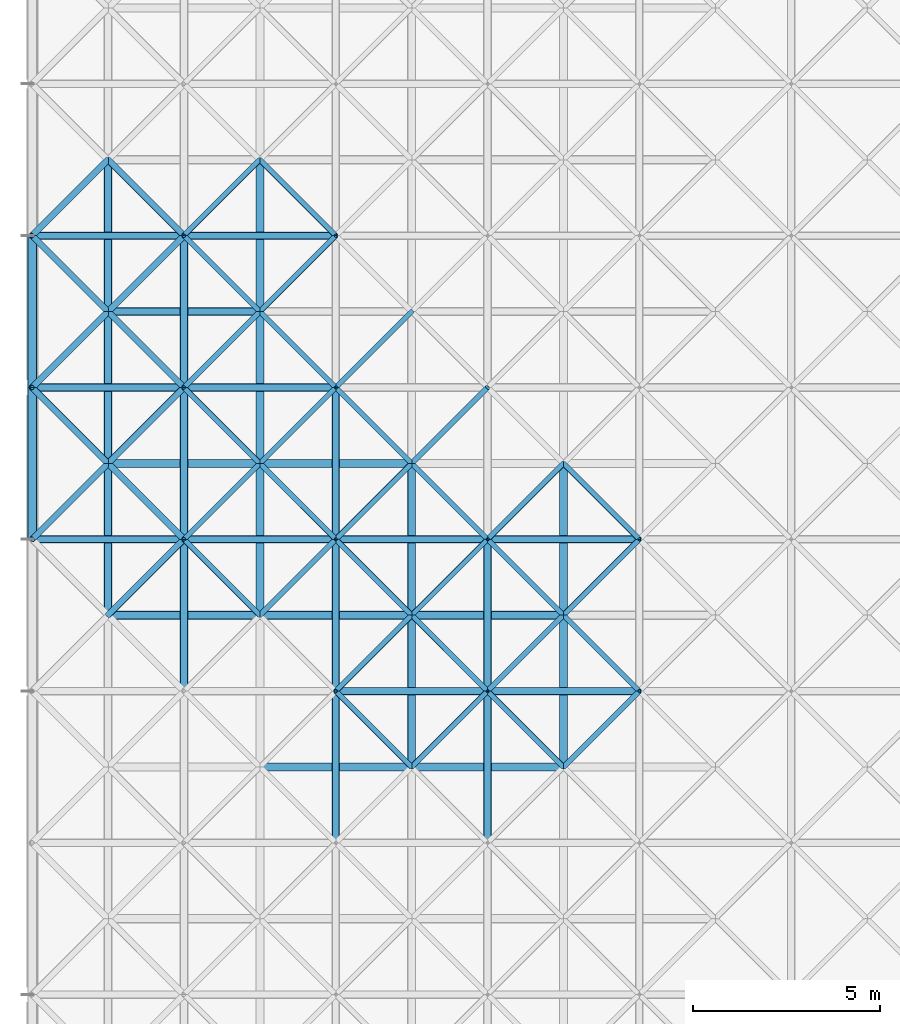
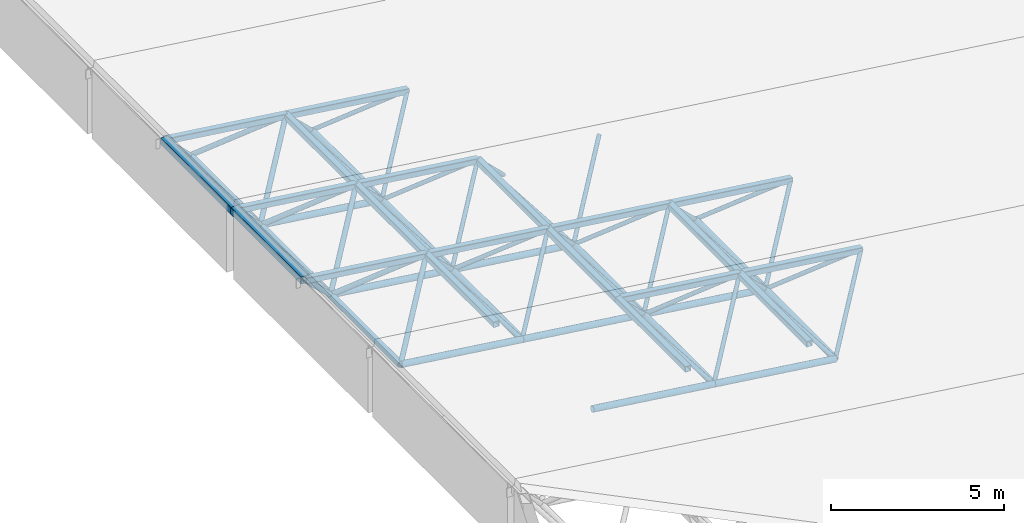
# One storey, part 17 of 70: 80 members.
"""IFC4 building model written with IfcOpenShell, lengths in metres."""

from ifc_helpers import new_model, si_unit, direction, frame, origin, origin_2d, place, context, subcontext, project, spatial, hollow_rectangle, hollow_circle, extrude, material, material_profile, profile_set, type_object, element, save


model = new_model("IFC4")

# Units and contexts
model_context = context("Model", 3, precision=1e-05, world=origin(), true_north=direction((0.0, 1.0)))
body_context = subcontext(model_context, "Body", "Model", "MODEL_VIEW")
ifc_project = project(units=[si_unit("LENGTHUNIT", "METRE"), si_unit("AREAUNIT", "SQUARE_METRE"), si_unit("VOLUMEUNIT", "CUBIC_METRE"), si_unit("PLANEANGLEUNIT", "RADIAN"), si_unit("MASSUNIT", "GRAM", prefix="KILO")], contexts=[model_context])

# Site, building, storey
site_placement = place(None, origin())
site = spatial("IfcSite", under=ifc_project, at=site_placement, CompositionType="ELEMENT")
building_placement = place(site_placement, origin())
building = spatial("IfcBuilding", under=site, at=building_placement, Name="Vaudrelin Polytechnic", CompositionType="ELEMENT")
storey_placement = place(building_placement, frame((0.0, 0.0, 14.110107421875)))
storey = spatial("IfcBuildingStorey", under=building, at=storey_placement, Name="L03", CompositionType="ELEMENT", Elevation=14.110107421875)

# Members
ifc_material = material(Name="Steel CSA G40.21 350WT", Category="steel")
ifc_material_profile_1 = material_profile(ifc_material, hollow_circle(Radius=0.109619140625, WallThickness=0.010986328125, at=origin_2d()), Name="CHS219.1x11.1")
ifc_profile_set_1 = profile_set([ifc_material_profile_1], Name="Steel CSA G40.21 350WT")
member_type_1 = type_object("IfcMemberType", Name="MEM-SF-BC1", PredefinedType="CHORD", material=ifc_profile_set_1)
for number, where, z_axis, x_axis, name in (
    (1, (6.074951171875, 54.675048828125, 1.505615234375), (0.991444732077, 0.0, -0.130527174324), (0.0, 1.0, 0.0), "Space frame bottom chord X 2-4"),
    (2, (10.125, 54.675048828125, 0.972412109375), (0.991444732077, 0.0, -0.130527174324), (0.0, 1.0, 0.0), "Space frame bottom chord X 3-4"),
    (3, (2.02490234375, 58.72509765625, 2.038818359375), (0.991444732077, 0.0, -0.130527174324), (0.0, 1.0, 0.0), "Space frame bottom chord X 1-5"),
    (4, (6.074951171875, 58.72509765625, 1.505615234375), (0.991444732077, 0.0, -0.130527174324), (0.0, 1.0, 0.0), "Space frame bottom chord X 2-5"),
    (5, (10.125, 58.72509765625, 0.972412109375), (0.991444732077, 0.0, -0.130527174324), (0.0, 1.0, 0.0), "Space frame bottom chord X 3-5"),
    (6, (2.02490234375, 62.77490234375, 2.038818359375), (0.991444732077, 0.0, -0.130527174324), (0.0, 1.0, 0.0), "Space frame bottom chord X 1-6"),
    (7, (6.074951171875, 62.77490234375, 1.505615234375), (0.991444732077, 0.0, -0.130527174324), (0.0, 1.0, 0.0), "Space frame bottom chord X 2-6"),
    (8, (2.02490234375, 66.824951171875, 2.038818359375), (0.991444732077, 0.0, -0.130527174324), (0.0, 1.0, 0.0), "Space frame bottom chord X 1-7"),
):
    element("IfcMember", number, at=place(storey_placement, frame(where, z_axis=z_axis, x_axis=x_axis)), inside=storey, type_object=member_type_1, Name=name, PredefinedType="CHORD", context=body_context, shape_type="SweptSolid", body=[
        extrude(hollow_circle(Radius=0.109619140625, WallThickness=0.010986328125, at=origin_2d()), origin(), (0.0, 0.0, 1.0), 4.0849609375),
    ])
member_1_placement = place(storey_placement, frame((2.02490234375, 58.72509765625, 2.038818359375), z_axis=(0.0, 1.0, 0.0), x_axis=(-1.0, 0.0, 0.0)))
element("IfcMember", 9, at=member_1_placement, inside=storey, type_object=member_type_1, Name="Space frame bottom chord Y 1-5", PredefinedType="CHORD", context=body_context, shape_type="SweptSolid", body=[
    extrude(hollow_circle(Radius=0.109619140625, WallThickness=0.010986328125, at=origin_2d()), origin(), (0.0, 0.0, 1.0), 4.0498046875),
])
for number, where, z_axis, x_axis, name in (
    (10, (2.02490234375, 62.77490234375, 2.038818359375), (0.0, 1.0, 0.0), (-1.0, 0.0, 0.0), "Space frame bottom chord Y 1-6"),
    (11, (2.02490234375, 66.824951171875, 2.038818359375), (0.0, 1.0, 0.0), (-1.0, 0.0, 0.0), "Space frame bottom chord Y 1-7"),
):
    element("IfcMember", number, at=place(storey_placement, frame(where, z_axis=z_axis, x_axis=x_axis)), inside=storey, type_object=member_type_1, Name=name, PredefinedType="CHORD", context=body_context, shape_type="SweptSolid", body=[
        extrude(hollow_circle(Radius=0.109619140625, WallThickness=0.010986328125, at=origin_2d()), origin(), (0.0, 0.0, 1.0), 4.050048828125),
    ])
member_2_placement = place(storey_placement, frame((6.074951171875, 58.72509765625, 1.505615234375), z_axis=(0.0, 1.0, 0.0), x_axis=(-1.0, 0.0, 0.0)))
element("IfcMember", 12, at=member_2_placement, inside=storey, type_object=member_type_1, Name="Space frame bottom chord Y 2-5", PredefinedType="CHORD", context=body_context, shape_type="SweptSolid", body=[
    extrude(hollow_circle(Radius=0.109619140625, WallThickness=0.010986328125, at=origin_2d()), origin(), (0.0, 0.0, 1.0), 4.0498046875),
])
for number, where, z_axis, x_axis, name in (
    (13, (6.074951171875, 62.77490234375, 1.505615234375), (0.0, 1.0, 0.0), (-1.0, 0.0, 0.0), "Space frame bottom chord Y 2-6"),
    (14, (6.074951171875, 66.824951171875, 1.505615234375), (0.0, 1.0, 0.0), (-1.0, 0.0, 0.0), "Space frame bottom chord Y 2-7"),
    (15, (10.125, 54.675048828125, 0.972412109375), (0.0, 1.0, 0.0), (-1.0, 0.0, 0.0), "Space frame bottom chord Y 3-4"),
):
    element("IfcMember", number, at=place(storey_placement, frame(where, z_axis=z_axis, x_axis=x_axis)), inside=storey, type_object=member_type_1, Name=name, PredefinedType="CHORD", context=body_context, shape_type="SweptSolid", body=[
        extrude(hollow_circle(Radius=0.109619140625, WallThickness=0.010986328125, at=origin_2d()), origin(), (0.0, 0.0, 1.0), 4.050048828125),
    ])
member_3_placement = place(storey_placement, frame((10.125, 58.72509765625, 0.972412109375), z_axis=(0.0, 1.0, 0.0), x_axis=(-1.0, 0.0, 0.0)))
element("IfcMember", 16, at=member_3_placement, inside=storey, type_object=member_type_1, Name="Space frame bottom chord Y 3-5", PredefinedType="CHORD", context=body_context, shape_type="SweptSolid", body=[
    extrude(hollow_circle(Radius=0.109619140625, WallThickness=0.010986328125, at=origin_2d()), origin(), (0.0, 0.0, 1.0), 4.0498046875),
])
member_4_placement = place(storey_placement, frame((14.175048828125, 54.675048828125, 0.439208984375), z_axis=(0.0, 1.0, 0.0), x_axis=(-1.0, 0.0, 0.0)))
element("IfcMember", 17, at=member_4_placement, inside=storey, type_object=member_type_1, Name="Space frame bottom chord Y 4-4", PredefinedType="CHORD", context=body_context, shape_type="SweptSolid", body=[
    extrude(hollow_circle(Radius=0.109619140625, WallThickness=0.010986328125, at=origin_2d()), origin(), (0.0, 0.0, 1.0), 4.050048828125),
])
member_5_placement = place(storey_placement, frame((14.175048828125, 58.72509765625, 0.439208984375), z_axis=(0.0, 1.0, 0.0), x_axis=(-1.0, 0.0, 0.0)))
element("IfcMember", 18, at=member_5_placement, inside=storey, type_object=member_type_1, Name="Space frame bottom chord Y 4-5", PredefinedType="CHORD", context=body_context, shape_type="SweptSolid", body=[
    extrude(hollow_circle(Radius=0.109619140625, WallThickness=0.010986328125, at=origin_2d()), origin(), (0.0, 0.0, 1.0), 4.0498046875),
])
ifc_material_profile_2 = material_profile(ifc_material, hollow_rectangle(XDim=0.202880859375, YDim=0.202880859375, WallThickness=0.009521484375, InnerFilletRadius=0.009521484375, OuterFilletRadius=0.01904296875, at=origin_2d()), Name="HSS203x203x9.5")
ifc_profile_set_2 = profile_set([ifc_material_profile_2], Name="Steel CSA G40.21 350WT")
member_type_2 = type_object("IfcMemberType", Name="MEM-SF-TC1", PredefinedType="CHORD", material=ifc_profile_set_2)
member_6_placement = place(storey_placement, frame((8.10009765625, 56.699951171875, 3.439208984375), z_axis=(0.991443713746, 0.0, -0.13053490902), x_axis=(0.0, 1.0, 0.0)))
element("IfcMember", 19, at=member_6_placement, inside=storey, type_object=member_type_2, Name="Space frame top chord X 3-5", PredefinedType="CHORD", context=body_context, shape_type="SweptSolid", body=[
    extrude(hollow_rectangle(XDim=0.202880859375, YDim=0.202880859375, WallThickness=0.009521484375, InnerFilletRadius=0.009521484375, OuterFilletRadius=0.01904296875, at=origin_2d()), origin(), (0.0, 0.0, 1.0), 4.084716796875),
])
for number, where, z_axis, x_axis, name in (
    (20, (12.14990234375, 56.699951171875, 2.906005859375), (0.991444732077, 0.0, -0.130527174324), (0.0, 1.0, 0.0), "Space frame top chord X 4-5"),
    (21, (0.0, 60.75, 4.50537109375), (0.991444732077, 0.0, -0.130527174324), (0.0, 1.0, 0.0), "Space frame top chord X 1-6"),
    (22, (4.050048828125, 60.75, 3.97216796875), (0.991452464639, 0.0, -0.130468426687), (0.0, 1.0, 0.0), "Space frame top chord X 2-6"),
):
    element("IfcMember", number, at=place(storey_placement, frame(where, z_axis=z_axis, x_axis=x_axis)), inside=storey, type_object=member_type_2, Name=name, PredefinedType="CHORD", context=body_context, shape_type="SweptSolid", body=[
        extrude(hollow_rectangle(XDim=0.202880859375, YDim=0.202880859375, WallThickness=0.009521484375, InnerFilletRadius=0.009521484375, OuterFilletRadius=0.01904296875, at=origin_2d()), origin(), (0.0, 0.0, 1.0), 4.0849609375),
    ])
member_7_placement = place(storey_placement, frame((8.10009765625, 60.75, 3.439208984375), z_axis=(0.991443713746, 0.0, -0.13053490902), x_axis=(0.0, 1.0, 0.0)))
element("IfcMember", 23, at=member_7_placement, inside=storey, type_object=member_type_2, Name="Space frame top chord X 3-6", PredefinedType="CHORD", context=body_context, shape_type="SweptSolid", body=[
    extrude(hollow_rectangle(XDim=0.202880859375, YDim=0.202880859375, WallThickness=0.009521484375, InnerFilletRadius=0.009521484375, OuterFilletRadius=0.01904296875, at=origin_2d()), origin(), (0.0, 0.0, 1.0), 4.084716796875),
])
for number, where, z_axis, x_axis, name in (
    (24, (12.14990234375, 60.75, 2.906005859375), (0.991444732077, 0.0, -0.130527174324), (0.0, 1.0, 0.0), "Space frame top chord X 4-6"),
    (25, (0.0, 64.800048828125, 4.50537109375), (0.991444732077, 0.0, -0.130527174324), (0.0, 1.0, 0.0), "Space frame top chord X 1-7"),
    (26, (4.050048828125, 64.800048828125, 3.97216796875), (0.991452464639, 0.0, -0.130468426687), (0.0, 1.0, 0.0), "Space frame top chord X 2-7"),
    (27, (0.0, 68.85009765625, 4.50537109375), (0.991444732077, 0.0, -0.130527174324), (0.0, 1.0, 0.0), "Space frame top chord X 1-8"),
    (28, (4.050048828125, 68.85009765625, 3.97216796875), (0.991452464639, 0.0, -0.130468426687), (0.0, 1.0, 0.0), "Space frame top chord X 2-8"),
):
    element("IfcMember", number, at=place(storey_placement, frame(where, z_axis=z_axis, x_axis=x_axis)), inside=storey, type_object=member_type_2, Name=name, PredefinedType="CHORD", context=body_context, shape_type="SweptSolid", body=[
        extrude(hollow_rectangle(XDim=0.202880859375, YDim=0.202880859375, WallThickness=0.009521484375, InnerFilletRadius=0.009521484375, OuterFilletRadius=0.01904296875, at=origin_2d()), origin(), (0.0, 0.0, 1.0), 4.0849609375),
    ])
for number, where, z_axis, x_axis, name in (
    (29, (4.050048828125, 56.699951171875, 3.97216796875), (0.0, 1.0, 0.0), (-1.0, 0.0, 0.0), "Space frame top chord Y 2-5"),
    (30, (4.050048828125, 60.75, 3.97216796875), (0.0, 1.0, 0.0), (-1.0, 0.0, 0.0), "Space frame top chord Y 2-6"),
    (31, (4.050048828125, 64.800048828125, 3.97216796875), (0.0, 1.0, 0.0), (-1.0, 0.0, 0.0), "Space frame top chord Y 2-7"),
    (32, (8.10009765625, 52.64990234375, 3.439208984375), (0.0, 1.0, 0.0), (-1.0, 0.0, 0.0), "Space frame top chord Y 3-4"),
    (33, (8.10009765625, 56.699951171875, 3.439208984375), (0.0, 1.0, 0.0), (-1.0, 0.0, 0.0), "Space frame top chord Y 3-5"),
    (34, (8.10009765625, 60.75, 3.439208984375), (0.0, 1.0, 0.0), (-1.0, 0.0, 0.0), "Space frame top chord Y 3-6"),
    (35, (12.14990234375, 52.64990234375, 2.906005859375), (0.0, 1.0, 0.0), (-1.0, 0.0, 0.0), "Space frame top chord Y 4-4"),
    (36, (12.14990234375, 56.699951171875, 2.906005859375), (0.0, 1.0, 0.0), (-1.0, 0.0, 0.0), "Space frame top chord Y 4-5"),
):
    element("IfcMember", number, at=place(storey_placement, frame(where, z_axis=z_axis, x_axis=x_axis)), inside=storey, type_object=member_type_2, Name=name, PredefinedType="CHORD", context=body_context, shape_type="SweptSolid", body=[
        extrude(hollow_rectangle(XDim=0.202880859375, YDim=0.202880859375, WallThickness=0.009521484375, InnerFilletRadius=0.009521484375, OuterFilletRadius=0.01904296875, at=origin_2d()), origin(), (0.0, 0.0, 1.0), 4.050048828125),
    ])
ifc_material_profile_3 = material_profile(ifc_material, hollow_rectangle(XDim=0.25390625, YDim=0.25390625, WallThickness=0.0126953125, InnerFilletRadius=0.0126953125, OuterFilletRadius=0.025390625, at=origin_2d()), Name="HSS254x254x12.7")
ifc_profile_set_3 = profile_set([ifc_material_profile_3], Name="Steel CSA G40.21 350WT")
member_type_3 = type_object("IfcMemberType", Name="MEM-SF-TC2", PredefinedType="CHORD", material=ifc_profile_set_3)
for number, where, z_axis, x_axis, name in (
    (37, (0.0, 60.75, 4.50537109375), (0.0, 1.0, 0.0), (-1.0, 0.0, 0.0), "Space frame top chord Y 1-6"),
    (38, (0.0, 64.800048828125, 4.50537109375), (0.0, 1.0, 0.0), (-1.0, 0.0, 0.0), "Space frame top chord Y 1-7"),
):
    element("IfcMember", number, at=place(storey_placement, frame(where, z_axis=z_axis, x_axis=x_axis)), inside=storey, type_object=member_type_3, Name=name, PredefinedType="CHORD", context=body_context, shape_type="SweptSolid", body=[
        extrude(hollow_rectangle(XDim=0.25390625, YDim=0.25390625, WallThickness=0.0126953125, InnerFilletRadius=0.0126953125, OuterFilletRadius=0.025390625, at=origin_2d()), origin(), (0.0, 0.0, 1.0), 4.050048828125),
    ])
ifc_material_profile_4 = material_profile(ifc_material, hollow_circle(Radius=0.06982421875, WallThickness=0.008056640625, at=origin_2d()), Name="CHS139.7x8.0")
ifc_profile_set_4 = profile_set([ifc_material_profile_4], Name="Steel CSA G40.21 350WT")
member_type_4 = type_object("IfcMemberType", Name="MEM-SF-WB1", PredefinedType="BRACE", material=ifc_profile_set_4)
member_8_placement = place(storey_placement, frame((6.074951171875, 58.72509765625, 1.505615234375), z_axis=(0.586070753284, 0.586000099787, 0.559575692105), x_axis=(-0.707064154862, 0.707149404941, 0.0)))
element("IfcMember", 39, at=member_8_placement, inside=storey, type_object=member_type_4, Name="Space frame web diagonal 2.5.3", PredefinedType="BRACE", context=body_context, shape_type="SweptSolid", body=[
    extrude(hollow_circle(Radius=0.06982421875, WallThickness=0.008056640625, at=origin_2d()), origin(), (0.0, 0.0, 1.0), 3.45556640625),
])
for number, where, z_axis, x_axis, name in (
    (40, (6.074951171875, 58.72509765625, 1.505615234375), (-0.535764547812, 0.535764547812, 0.652619872986), (-0.707106781187, -0.707106781187, 0.0), "Space frame web diagonal 2.5.4"),
    (41, (6.074951171875, 62.77490234375, 1.505615234375), (-0.535764547812, -0.535764547812, 0.652619872986), (0.707106781187, -0.707106781187, 0.0), "Space frame web diagonal 2.6.1"),
):
    element("IfcMember", number, at=place(storey_placement, frame(where, z_axis=z_axis, x_axis=x_axis)), inside=storey, type_object=member_type_4, Name=name, PredefinedType="BRACE", context=body_context, shape_type="SweptSolid", body=[
        extrude(hollow_circle(Radius=0.06982421875, WallThickness=0.008056640625, at=origin_2d()), origin(), (0.0, 0.0, 1.0), 3.779541015625),
    ])
for number, where, z_axis, x_axis, name in (
    (42, (6.074951171875, 62.77490234375, 1.505615234375), (0.586070753284, -0.586000099787, 0.559575692105), (0.707064154862, 0.707149404941, 0.0), "Space frame web diagonal 2.6.2"),
    (43, (6.074951171875, 62.77490234375, 1.505615234375), (0.586046488267, 0.586046488267, 0.559552524059), (-0.707106781187, 0.707106781187, 0.0), "Space frame web diagonal 2.6.3"),
):
    element("IfcMember", number, at=place(storey_placement, frame(where, z_axis=z_axis, x_axis=x_axis)), inside=storey, type_object=member_type_4, Name=name, PredefinedType="BRACE", context=body_context, shape_type="SweptSolid", body=[
        extrude(hollow_circle(Radius=0.06982421875, WallThickness=0.008056640625, at=origin_2d()), origin(), (0.0, 0.0, 1.0), 3.45556640625),
    ])
for number, where, z_axis, x_axis, name in (
    (44, (6.074951171875, 62.77490234375, 1.505615234375), (-0.535746005601, 0.535810600007, 0.652597286543), (-0.707149404941, -0.707064154862, 0.0), "Space frame web diagonal 2.6.4"),
    (45, (6.074951171875, 66.824951171875, 1.505615234375), (-0.535764547812, -0.535764547812, 0.652619872986), (0.707106781187, -0.707106781187, 0.0), "Space frame web diagonal 2.7.1"),
):
    element("IfcMember", number, at=place(storey_placement, frame(where, z_axis=z_axis, x_axis=x_axis)), inside=storey, type_object=member_type_4, Name=name, PredefinedType="BRACE", context=body_context, shape_type="SweptSolid", body=[
        extrude(hollow_circle(Radius=0.06982421875, WallThickness=0.008056640625, at=origin_2d()), origin(), (0.0, 0.0, 1.0), 3.779541015625),
    ])
for number, where, z_axis, x_axis, name in (
    (46, (6.074951171875, 66.824951171875, 1.505615234375), (0.586070753284, -0.586000099787, 0.559575692105), (0.707064154862, 0.707149404941, 0.0), "Space frame web diagonal 2.7.2"),
    (47, (6.074951171875, 66.824951171875, 1.505615234375), (0.586046488267, 0.586046488267, 0.559552524059), (-0.707106781187, 0.707106781187, 0.0), "Space frame web diagonal 2.7.3"),
):
    element("IfcMember", number, at=place(storey_placement, frame(where, z_axis=z_axis, x_axis=x_axis)), inside=storey, type_object=member_type_4, Name=name, PredefinedType="BRACE", context=body_context, shape_type="SweptSolid", body=[
        extrude(hollow_circle(Radius=0.06982421875, WallThickness=0.008056640625, at=origin_2d()), origin(), (0.0, 0.0, 1.0), 3.45556640625),
    ])
for number, where, z_axis, x_axis, name in (
    (48, (6.074951171875, 66.824951171875, 1.505615234375), (-0.535746005601, 0.535810600007, 0.652597286543), (-0.707149404941, -0.707064154862, 0.0), "Space frame web diagonal 2.7.4"),
    (49, (6.074951171875, 70.875, 1.505615234375), (-0.535764547812, -0.535764547812, 0.652619872986), (0.707106781187, -0.707106781187, 0.0), "Space frame web diagonal 2.8.1"),
):
    element("IfcMember", number, at=place(storey_placement, frame(where, z_axis=z_axis, x_axis=x_axis)), inside=storey, type_object=member_type_4, Name=name, PredefinedType="BRACE", context=body_context, shape_type="SweptSolid", body=[
        extrude(hollow_circle(Radius=0.06982421875, WallThickness=0.008056640625, at=origin_2d()), origin(), (0.0, 0.0, 1.0), 3.779541015625),
    ])
member_9_placement = place(storey_placement, frame((6.074951171875, 70.875, 1.505615234375), z_axis=(0.586070753284, -0.586000099787, 0.559575692105), x_axis=(0.707064154862, 0.707149404941, 0.0)))
element("IfcMember", 50, at=member_9_placement, inside=storey, type_object=member_type_4, Name="Space frame web diagonal 2.8.2", PredefinedType="BRACE", context=body_context, shape_type="SweptSolid", body=[
    extrude(hollow_circle(Radius=0.06982421875, WallThickness=0.008056640625, at=origin_2d()), origin(), (0.0, 0.0, 1.0), 3.45556640625),
])
member_10_placement = place(storey_placement, frame((10.125, 54.675048828125, 0.972412109375), z_axis=(0.586024364893, 0.586024364893, 0.559598863028), x_axis=(-0.707106781187, 0.707106781187, 0.0)))
element("IfcMember", 51, at=member_10_placement, inside=storey, type_object=member_type_4, Name="Space frame web diagonal 3.4.3", PredefinedType="BRACE", context=body_context, shape_type="SweptSolid", body=[
    extrude(hollow_circle(Radius=0.06982421875, WallThickness=0.008056640625, at=origin_2d()), origin(), (0.0, 0.0, 1.0), 3.455322265625),
])
member_11_placement = place(storey_placement, frame((10.125, 54.675048828125, 0.972412109375), z_axis=(-0.535741961868, 0.535741961868, 0.652656954753), x_axis=(-0.707106781187, -0.707106781187, 0.0)))
element("IfcMember", 52, at=member_11_placement, inside=storey, type_object=member_type_4, Name="Space frame web diagonal 3.4.4", PredefinedType="BRACE", context=body_context, shape_type="SweptSolid", body=[
    extrude(hollow_circle(Radius=0.06982421875, WallThickness=0.008056640625, at=origin_2d()), origin(), (0.0, 0.0, 1.0), 3.779541015625),
])
member_12_placement = place(storey_placement, frame((10.125, 58.72509765625, 0.972412109375), z_axis=(-0.535723422002, -0.535788013686, 0.65263436893), x_axis=(0.707149404941, -0.707064154862, 0.0)))
element("IfcMember", 53, at=member_12_placement, inside=storey, type_object=member_type_4, Name="Space frame web diagonal 3.5.1", PredefinedType="BRACE", context=body_context, shape_type="SweptSolid", body=[
    extrude(hollow_circle(Radius=0.06982421875, WallThickness=0.008056640625, at=origin_2d()), origin(), (0.0, 0.0, 1.0), 3.77978515625),
])
member_13_placement = place(storey_placement, frame((10.125, 58.72509765625, 0.972412109375), z_axis=(0.586000099787, -0.586070753284, 0.559575692105), x_axis=(0.707149404941, 0.707064154862, 0.0)))
element("IfcMember", 54, at=member_13_placement, inside=storey, type_object=member_type_4, Name="Space frame web diagonal 3.5.2", PredefinedType="BRACE", context=body_context, shape_type="SweptSolid", body=[
    extrude(hollow_circle(Radius=0.06982421875, WallThickness=0.008056640625, at=origin_2d()), origin(), (0.0, 0.0, 1.0), 3.45556640625),
])
member_14_placement = place(storey_placement, frame((10.125, 58.72509765625, 0.972412109375), z_axis=(0.586024364893, 0.586024364893, 0.559598863028), x_axis=(-0.707106781187, 0.707106781187, 0.0)))
element("IfcMember", 55, at=member_14_placement, inside=storey, type_object=member_type_4, Name="Space frame web diagonal 3.5.3", PredefinedType="BRACE", context=body_context, shape_type="SweptSolid", body=[
    extrude(hollow_circle(Radius=0.06982421875, WallThickness=0.008056640625, at=origin_2d()), origin(), (0.0, 0.0, 1.0), 3.455322265625),
])
for number, where, z_axis, x_axis, name in (
    (56, (10.125, 58.72509765625, 0.972412109375), (-0.535741961868, 0.535741961868, 0.652656954753), (-0.707106781187, -0.707106781187, 0.0), "Space frame web diagonal 3.5.4"),
    (57, (10.125, 62.77490234375, 0.972412109375), (-0.535741961868, -0.535741961868, 0.652656954753), (0.707106781187, -0.707106781187, 0.0), "Space frame web diagonal 3.6.1"),
):
    element("IfcMember", number, at=place(storey_placement, frame(where, z_axis=z_axis, x_axis=x_axis)), inside=storey, type_object=member_type_4, Name=name, PredefinedType="BRACE", context=body_context, shape_type="SweptSolid", body=[
        extrude(hollow_circle(Radius=0.06982421875, WallThickness=0.008056640625, at=origin_2d()), origin(), (0.0, 0.0, 1.0), 3.779541015625),
    ])
member_15_placement = place(storey_placement, frame((10.125, 62.77490234375, 0.972412109375), z_axis=(0.586024364893, -0.586024364893, 0.559598863028), x_axis=(0.707106781187, 0.707106781187, 0.0)))
element("IfcMember", 58, at=member_15_placement, inside=storey, type_object=member_type_4, Name="Space frame web diagonal 3.6.2", PredefinedType="BRACE", context=body_context, shape_type="SweptSolid", body=[
    extrude(hollow_circle(Radius=0.06982421875, WallThickness=0.008056640625, at=origin_2d()), origin(), (0.0, 0.0, 1.0), 3.455322265625),
])
member_16_placement = place(storey_placement, frame((10.125, 62.77490234375, 0.972412109375), z_axis=(0.586000099787, 0.586070753284, 0.559575692105), x_axis=(-0.707149404941, 0.707064154862, 0.0)))
element("IfcMember", 59, at=member_16_placement, inside=storey, type_object=member_type_4, Name="Space frame web diagonal 3.6.3", PredefinedType="BRACE", context=body_context, shape_type="SweptSolid", body=[
    extrude(hollow_circle(Radius=0.06982421875, WallThickness=0.008056640625, at=origin_2d()), origin(), (0.0, 0.0, 1.0), 3.45556640625),
])
member_17_placement = place(storey_placement, frame((10.125, 62.77490234375, 0.972412109375), z_axis=(-0.535723422002, 0.535788013686, 0.65263436893), x_axis=(-0.707149404941, -0.707064154862, 0.0)))
element("IfcMember", 60, at=member_17_placement, inside=storey, type_object=member_type_4, Name="Space frame web diagonal 3.6.4", PredefinedType="BRACE", context=body_context, shape_type="SweptSolid", body=[
    extrude(hollow_circle(Radius=0.06982421875, WallThickness=0.008056640625, at=origin_2d()), origin(), (0.0, 0.0, 1.0), 3.77978515625),
])
member_18_placement = place(storey_placement, frame((10.125, 66.824951171875, 0.972412109375), z_axis=(-0.535741961868, -0.535741961868, 0.652656954753), x_axis=(0.707106781187, -0.707106781187, 0.0)))
element("IfcMember", 61, at=member_18_placement, inside=storey, type_object=member_type_4, Name="Space frame web diagonal 3.7.1", PredefinedType="BRACE", context=body_context, shape_type="SweptSolid", body=[
    extrude(hollow_circle(Radius=0.06982421875, WallThickness=0.008056640625, at=origin_2d()), origin(), (0.0, 0.0, 1.0), 3.779541015625),
])
member_19_placement = place(storey_placement, frame((14.175048828125, 54.675048828125, 0.439208984375), z_axis=(0.586024364893, 0.586024364893, 0.559598863028), x_axis=(-0.707106781187, 0.707106781187, 0.0)))
element("IfcMember", 62, at=member_19_placement, inside=storey, type_object=member_type_4, Name="Space frame web diagonal 4.4.3", PredefinedType="BRACE", context=body_context, shape_type="SweptSolid", body=[
    extrude(hollow_circle(Radius=0.06982421875, WallThickness=0.008056640625, at=origin_2d()), origin(), (0.0, 0.0, 1.0), 3.455322265625),
])
for number, where, z_axis, x_axis, name in (
    (63, (14.175048828125, 54.675048828125, 0.439208984375), (-0.535788013686, 0.535723422002, 0.65263436893), (-0.707064154862, -0.707149404941, 0.0), "Space frame web diagonal 4.4.4"),
    (64, (14.175048828125, 58.72509765625, 0.439208984375), (-0.535769473509, -0.535769473509, 0.652611785453), (0.707106781187, -0.707106781187, 0.0), "Space frame web diagonal 4.5.1"),
):
    element("IfcMember", number, at=place(storey_placement, frame(where, z_axis=z_axis, x_axis=x_axis)), inside=storey, type_object=member_type_4, Name=name, PredefinedType="BRACE", context=body_context, shape_type="SweptSolid", body=[
        extrude(hollow_circle(Radius=0.06982421875, WallThickness=0.008056640625, at=origin_2d()), origin(), (0.0, 0.0, 1.0), 3.77978515625),
    ])
member_20_placement = place(storey_placement, frame((14.175048828125, 58.72509765625, 0.439208984375), z_axis=(0.586000099787, -0.586070753284, 0.559575692105), x_axis=(0.707149404941, 0.707064154862, 0.0)))
element("IfcMember", 65, at=member_20_placement, inside=storey, type_object=member_type_4, Name="Space frame web diagonal 4.5.2", PredefinedType="BRACE", context=body_context, shape_type="SweptSolid", body=[
    extrude(hollow_circle(Radius=0.06982421875, WallThickness=0.008056640625, at=origin_2d()), origin(), (0.0, 0.0, 1.0), 3.45556640625),
])
member_21_placement = place(storey_placement, frame((14.175048828125, 58.72509765625, 0.439208984375), z_axis=(0.586024364893, 0.586024364893, 0.559598863028), x_axis=(-0.707106781187, 0.707106781187, 0.0)))
element("IfcMember", 66, at=member_21_placement, inside=storey, type_object=member_type_4, Name="Space frame web diagonal 4.5.3", PredefinedType="BRACE", context=body_context, shape_type="SweptSolid", body=[
    extrude(hollow_circle(Radius=0.06982421875, WallThickness=0.008056640625, at=origin_2d()), origin(), (0.0, 0.0, 1.0), 3.455322265625),
])
for number, where, z_axis, x_axis, name in (
    (67, (14.175048828125, 58.72509765625, 0.439208984375), (-0.535788013686, 0.535723422002, 0.65263436893), (-0.707064154862, -0.707149404941, 0.0), "Space frame web diagonal 4.5.4"),
    (68, (14.175048828125, 62.77490234375, 0.439208984375), (-0.535788013686, -0.535723422002, 0.65263436893), (0.707064154862, -0.707149404941, 0.0), "Space frame web diagonal 4.6.1"),
):
    element("IfcMember", number, at=place(storey_placement, frame(where, z_axis=z_axis, x_axis=x_axis)), inside=storey, type_object=member_type_4, Name=name, PredefinedType="BRACE", context=body_context, shape_type="SweptSolid", body=[
        extrude(hollow_circle(Radius=0.06982421875, WallThickness=0.008056640625, at=origin_2d()), origin(), (0.0, 0.0, 1.0), 3.77978515625),
    ])
member_22_placement = place(storey_placement, frame((14.175048828125, 62.77490234375, 0.439208984375), z_axis=(0.586024364893, -0.586024364893, 0.559598863028), x_axis=(0.707106781187, 0.707106781187, 0.0)))
element("IfcMember", 69, at=member_22_placement, inside=storey, type_object=member_type_4, Name="Space frame web diagonal 4.6.2", PredefinedType="BRACE", context=body_context, shape_type="SweptSolid", body=[
    extrude(hollow_circle(Radius=0.06982421875, WallThickness=0.008056640625, at=origin_2d()), origin(), (0.0, 0.0, 1.0), 3.455322265625),
])
ifc_material_profile_5 = material_profile(ifc_material, hollow_circle(Radius=0.084228515625, WallThickness=0.009521484375, at=origin_2d()), Name="CHS168.3x9.5")
ifc_profile_set_5 = profile_set([ifc_material_profile_5], Name="Steel CSA G40.21 350WT")
member_type_5 = type_object("IfcMemberType", Name="MEM-SF-WB2", PredefinedType="BRACE", material=ifc_profile_set_5)
member_23_placement = place(storey_placement, frame((2.02490234375, 58.72509765625, 2.038818359375), z_axis=(0.586093924076, 0.586023267786, 0.559527159103), x_axis=(-0.707064154862, 0.707149404941, 0.0)))
element("IfcMember", 70, at=member_23_placement, inside=storey, type_object=member_type_5, Name="Space frame web diagonal 1.5.3", PredefinedType="BRACE", context=body_context, shape_type="SweptSolid", body=[
    extrude(hollow_circle(Radius=0.084228515625, WallThickness=0.009521484375, at=origin_2d()), origin(), (0.0, 0.0, 1.0), 3.455322265625),
])
member_24_placement = place(storey_placement, frame((2.02490234375, 62.77490234375, 2.038818359375), z_axis=(-0.535764547812, -0.535764547812, 0.652619872986), x_axis=(0.707106781187, -0.707106781187, 0.0)))
element("IfcMember", 71, at=member_24_placement, inside=storey, type_object=member_type_5, Name="Space frame web diagonal 1.6.1", PredefinedType="BRACE", context=body_context, shape_type="SweptSolid", body=[
    extrude(hollow_circle(Radius=0.084228515625, WallThickness=0.009521484375, at=origin_2d()), origin(), (0.0, 0.0, 1.0), 3.779541015625),
])
member_25_placement = place(storey_placement, frame((2.02490234375, 62.77490234375, 2.038818359375), z_axis=(0.586093924076, -0.586023267786, 0.559527159103), x_axis=(0.707064154862, 0.707149404941, 0.0)))
element("IfcMember", 72, at=member_25_placement, inside=storey, type_object=member_type_5, Name="Space frame web diagonal 1.6.2", PredefinedType="BRACE", context=body_context, shape_type="SweptSolid", body=[
    extrude(hollow_circle(Radius=0.084228515625, WallThickness=0.009521484375, at=origin_2d()), origin(), (0.0, 0.0, 1.0), 3.455322265625),
])
member_26_placement = place(storey_placement, frame((2.02490234375, 62.77490234375, 2.038818359375), z_axis=(0.586069656181, 0.586069656181, 0.559503991235), x_axis=(-0.707106781187, 0.707106781187, 0.0)))
element("IfcMember", 73, at=member_26_placement, inside=storey, type_object=member_type_5, Name="Space frame web diagonal 1.6.3", PredefinedType="BRACE", context=body_context, shape_type="SweptSolid", body=[
    extrude(hollow_circle(Radius=0.084228515625, WallThickness=0.009521484375, at=origin_2d()), origin(), (0.0, 0.0, 1.0), 3.45556640625),
])
for number, where, z_axis, x_axis, name in (
    (74, (2.02490234375, 62.77490234375, 2.038818359375), (-0.535746005601, 0.535810600007, 0.652597286543), (-0.707149404941, -0.707064154862, 0.0), "Space frame web diagonal 1.6.4"),
    (75, (2.02490234375, 66.824951171875, 2.038818359375), (-0.535764547812, -0.535764547812, 0.652619872986), (0.707106781187, -0.707106781187, 0.0), "Space frame web diagonal 1.7.1"),
):
    element("IfcMember", number, at=place(storey_placement, frame(where, z_axis=z_axis, x_axis=x_axis)), inside=storey, type_object=member_type_5, Name=name, PredefinedType="BRACE", context=body_context, shape_type="SweptSolid", body=[
        extrude(hollow_circle(Radius=0.084228515625, WallThickness=0.009521484375, at=origin_2d()), origin(), (0.0, 0.0, 1.0), 3.779541015625),
    ])
member_27_placement = place(storey_placement, frame((2.02490234375, 66.824951171875, 2.038818359375), z_axis=(0.586093924076, -0.586023267786, 0.559527159103), x_axis=(0.707064154862, 0.707149404941, 0.0)))
element("IfcMember", 76, at=member_27_placement, inside=storey, type_object=member_type_5, Name="Space frame web diagonal 1.7.2", PredefinedType="BRACE", context=body_context, shape_type="SweptSolid", body=[
    extrude(hollow_circle(Radius=0.084228515625, WallThickness=0.009521484375, at=origin_2d()), origin(), (0.0, 0.0, 1.0), 3.455322265625),
])
member_28_placement = place(storey_placement, frame((2.02490234375, 66.824951171875, 2.038818359375), z_axis=(0.586069656181, 0.586069656181, 0.559503991235), x_axis=(-0.707106781187, 0.707106781187, 0.0)))
element("IfcMember", 77, at=member_28_placement, inside=storey, type_object=member_type_5, Name="Space frame web diagonal 1.7.3", PredefinedType="BRACE", context=body_context, shape_type="SweptSolid", body=[
    extrude(hollow_circle(Radius=0.084228515625, WallThickness=0.009521484375, at=origin_2d()), origin(), (0.0, 0.0, 1.0), 3.45556640625),
])
for number, where, z_axis, x_axis, name in (
    (78, (2.02490234375, 66.824951171875, 2.038818359375), (-0.535746005601, 0.535810600007, 0.652597286543), (-0.707149404941, -0.707064154862, 0.0), "Space frame web diagonal 1.7.4"),
    (79, (2.02490234375, 70.875, 2.038818359375), (-0.535764547812, -0.535764547812, 0.652619872986), (0.707106781187, -0.707106781187, 0.0), "Space frame web diagonal 1.8.1"),
):
    element("IfcMember", number, at=place(storey_placement, frame(where, z_axis=z_axis, x_axis=x_axis)), inside=storey, type_object=member_type_5, Name=name, PredefinedType="BRACE", context=body_context, shape_type="SweptSolid", body=[
        extrude(hollow_circle(Radius=0.084228515625, WallThickness=0.009521484375, at=origin_2d()), origin(), (0.0, 0.0, 1.0), 3.779541015625),
    ])
member_29_placement = place(storey_placement, frame((2.02490234375, 70.875, 2.038818359375), z_axis=(0.586093924076, -0.586023267786, 0.559527159103), x_axis=(0.707064154862, 0.707149404941, 0.0)))
element("IfcMember", 80, at=member_29_placement, inside=storey, type_object=member_type_5, Name="Space frame web diagonal 1.8.2", PredefinedType="BRACE", context=body_context, shape_type="SweptSolid", body=[
    extrude(hollow_circle(Radius=0.084228515625, WallThickness=0.009521484375, at=origin_2d()), origin(), (0.0, 0.0, 1.0), 3.455322265625),
])

save(model, "model.ifc")
